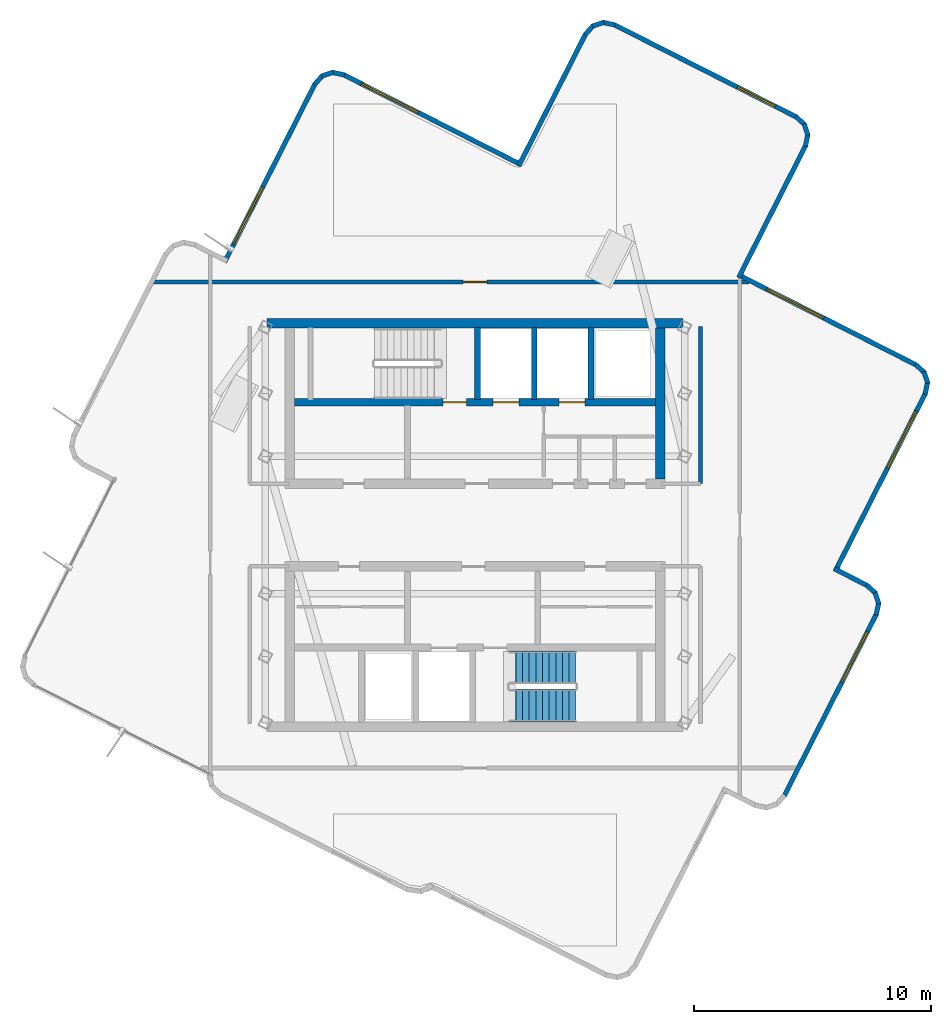
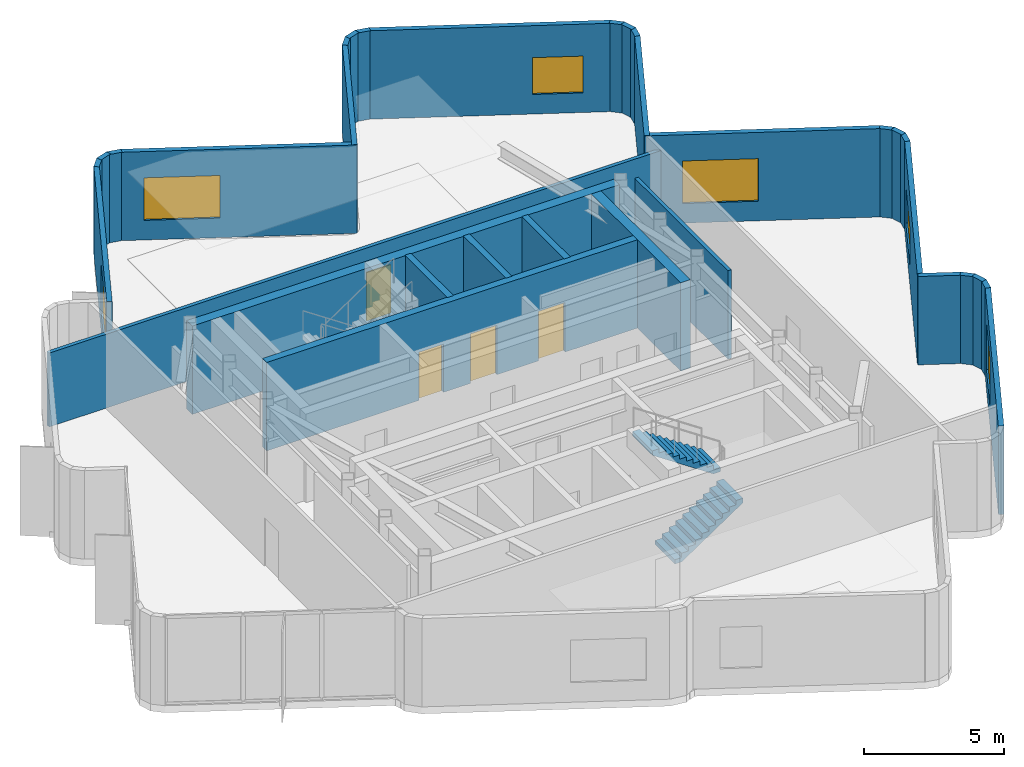
# One storey, part 4 of 8: 32 walls, 6 windows, 4 doors, 2 stair flights, 10 openings, 1 element without a shape of its own.
"""IFC4 building model written with IfcOpenShell, lengths in metres."""

from ifc_helpers import new_model, si_unit, direction, frame, frame_2d, origin, place, context, subcontext, project, spatial, polyline, rectangle, outline, extrude, material, layer, layer_set, type_object, element, fill, aggregate, save


model = new_model("IFC4")

# Units and contexts
model_context = context("Model", 3, precision=1e-05, world=origin(), true_north=direction((0.0, 1.0)))
body_context = subcontext(model_context, "Body", "Model", "MODEL_VIEW")
ifc_project = project(units=[si_unit("LENGTHUNIT", "METRE"), si_unit("AREAUNIT", "SQUARE_METRE"), si_unit("VOLUMEUNIT", "CUBIC_METRE"), si_unit("PLANEANGLEUNIT", "RADIAN"), si_unit("MASSUNIT", "GRAM", prefix="KILO")], contexts=[model_context])

# Site, building, storey
site_placement = place(None, origin())
site = spatial("IfcSite", under=ifc_project, at=site_placement, CompositionType="ELEMENT")
building_placement = place(site_placement, origin())
building = spatial("IfcBuilding", under=site, at=building_placement, Name="Solmarez Civic Tower", CompositionType="ELEMENT")
storey_placement = place(building_placement, frame((0.0, 0.0, 289.260009765625)))
storey = spatial("IfcBuildingStorey", under=building, at=storey_placement, Name="L78 Crown", CompositionType="ELEMENT", Elevation=289.260009765625)

# Walls
ifc_material_1 = material(Name="Concrete C50/60", Category="concrete")
ifc_layer_1 = layer(ifc_material_1, 0.39990234375)
ifc_layer_set_1 = layer_set([ifc_layer_1], Name="Concrete C50/60")
wall_type_1 = type_object("IfcWallType", Name="WALL-CORE-400", PredefinedType="SHEAR", material=ifc_layer_set_1)
wall_1_placement = place(storey_placement, frame((-8.780029296875, 8.510009765625, 0.0), z_axis=(0.0, 0.0, 1.0), x_axis=(1.0, 0.0, 0.0)))
element("IfcWall", 1, at=wall_1_placement, inside=storey, type_object=wall_type_1, Name="L78 Crown Split-Core Structural Wall NCW-N-L78 Crown", PredefinedType="SHEAR", context=body_context, shape_type="SweptSolid", body=[
    extrude(rectangle(XDim=17.56005859375, YDim=0.39990234375, at=frame_2d((8.780029296875, 0.0))), origin(), (0.0, 0.0, 1.0), 3.840087890625),
])
wall_2_placement = place(storey_placement, frame((7.820068359375, 8.31005859375, 0.0), z_axis=(0.0, 0.0, 1.0), x_axis=(0.0, -1.0, 0.0)))
element("IfcWall", 2, at=wall_2_placement, inside=storey, type_object=wall_type_1, Name="L78 Crown Split-Core Structural Wall NCW-E-L78 Crown", PredefinedType="SHEAR", context=body_context, shape_type="SweptSolid", body=[
    extrude(rectangle(XDim=6.360107421875, YDim=0.39990234375, at=frame_2d((3.18017578125, 0.0))), origin(), (0.0, 0.0, 1.0), 3.840087890625),
])

# Wall, opening, window
ifc_material_2 = material(Name="Precast concrete C40/50", Category="concrete")
ifc_layer_2 = layer(ifc_material_2, 0.199951171875)
ifc_layer_set_2 = layer_set([ifc_layer_2], Name="Precast concrete C40/50")
wall_type_2 = type_object("IfcWallType", Name="WALL-EXT-200", PredefinedType="SOLIDWALL", material=ifc_layer_set_2)
wall_3_placement = place(storey_placement, frame((-10.569091796875, 11.10888671875, 0.0), z_axis=(0.0, 0.0, 1.0), x_axis=(0.452141134176, 0.891946408024, 0.0)))
wall_3 = element("IfcWall", 3, at=wall_3_placement, inside=storey, type_object=wall_type_2, Name="L78 Crown Exterior Precast Wall 21", PredefinedType="SOLIDWALL", context=body_context, shape_type="SweptSolid", body=[
    extrude(rectangle(XDim=8.430908203125, YDim=0.199951171875, at=frame_2d((4.21533203125, 0.0))), origin(), (0.0, 0.0, 1.0), 3.840087890625),
])
opening_1_placement = place(wall_3_placement, frame((0.85009765625, 0.0, 0.85009765625)))
opening_1 = element("IfcOpeningElement", 4, at=opening_1_placement, cuts=wall_3, Name="Opening W-01", PredefinedType="OPENING", context=body_context, shape_type="SweptSolid", body=[
    extrude(rectangle(XDim=2.699951171875, YDim=2.10009765625, at=frame_2d((1.35009765625, 1.050048828125))), frame((0.0, 0.10986328125, 0.0), z_axis=(0.0, -1.0, 0.0), x_axis=(1.0, 0.0, 0.0)), (0.0, 0.0, 1.0), 0.219970703125),
])
ifc_material_3 = material(Name="Solar Control Bronze-Tinted Insulating Glass", Category="glass")
window_type_1 = type_object("IfcWindowType", Name="WIN-2700X2100", PartitioningType="SINGLE_PANEL", PredefinedType="WINDOW", material=ifc_material_3)
window_1_placement = place(opening_1_placement, origin())
window_1 = element("IfcWindow", 5, at=window_1_placement, inside=storey, type_object=window_type_1, Name="L78 Crown Exterior Facade Window 21", OverallHeight=2.10009765625, OverallWidth=2.699951171875, PartitioningType="SINGLE_PANEL", PredefinedType="WINDOW", context=body_context, shape_type="SweptSolid", body=[
    extrude(rectangle(XDim=2.699951171875, YDim=2.10009765625, at=frame_2d((1.35009765625, 1.050048828125))), frame((0.0, 0.030029296875, 0.0), z_axis=(0.0, -1.0, 0.0), x_axis=(1.0, 0.0, 0.0)), (0.0, 0.0, 1.0), 0.06005859375),
])
fill(opening_1, window_1)

# Walls
wall_4_placement = place(storey_placement, frame((-6.784912109375, 18.587890625, 0.0), z_axis=(0.0, 0.0, 1.0), x_axis=(0.665997400104, 0.745954062295, 0.0)))
element("IfcWall", 6, at=wall_4_placement, inside=storey, type_object=wall_type_2, Name="L78 Crown Exterior Precast Wall 22", PredefinedType="SOLIDWALL", context=body_context, shape_type="SweptSolid", body=[
    extrude(rectangle(XDim=0.5283203125, YDim=0.199951171875, at=frame_2d((0.26416015625, 0.0))), origin(), (0.0, 0.0, 1.0), 3.840087890625),
])
wall_5_placement = place(storey_placement, frame((-6.47412109375, 18.955078125, 0.0), z_axis=(0.0, 0.0, 1.0), x_axis=(0.950471064968, 0.310813054196, 0.0)))
element("IfcWall", 7, at=wall_5_placement, inside=storey, type_object=wall_type_2, Name="L78 Crown Exterior Precast Wall 23", PredefinedType="SOLIDWALL", context=body_context, shape_type="SweptSolid", body=[
    extrude(rectangle(XDim=0.514404296875, YDim=0.199951171875, at=frame_2d((0.25732421875, 0.0))), origin(), (0.0, 0.0, 1.0), 3.840087890625),
])
wall_6_placement = place(storey_placement, frame((-6.032958984375, 19.112060546875, 0.0), z_axis=(0.0, 0.0, 1.0), x_axis=(0.978721450967, -0.205193375664, 0.0)))
element("IfcWall", 8, at=wall_6_placement, inside=storey, type_object=wall_type_2, Name="L78 Crown Exterior Precast Wall 24", PredefinedType="SOLIDWALL", context=body_context, shape_type="SweptSolid", body=[
    extrude(rectangle(XDim=0.527099609375, YDim=0.199951171875, at=frame_2d((0.263671875, 0.0))), origin(), (0.0, 0.0, 1.0), 3.840087890625),
])

# Wall, opening, window
wall_7_placement = place(storey_placement, frame((-5.56298828125, 19.02001953125, 0.0), z_axis=(0.0, 0.0, 1.0), x_axis=(0.891946408024, -0.452141134176, 0.0)))
wall_7 = element("IfcWall", 9, at=wall_7_placement, inside=storey, type_object=wall_type_2, Name="L78 Crown Exterior Precast Wall 25", PredefinedType="SOLIDWALL", context=body_context, shape_type="SweptSolid", body=[
    extrude(rectangle(XDim=8.430908203125, YDim=0.199951171875, at=frame_2d((4.21533203125, 0.0))), origin(), (0.0, 0.0, 1.0), 3.840087890625),
])
opening_2_placement = place(wall_7_placement, frame((0.85009765625, 0.0, 0.85009765625)))
opening_2 = element("IfcOpeningElement", 10, at=opening_2_placement, cuts=wall_7, Name="Opening W-05", PredefinedType="OPENING", context=body_context, shape_type="SweptSolid", body=[
    extrude(rectangle(XDim=2.699951171875, YDim=1.85009765625, at=frame_2d((1.35009765625, 0.925048828125))), frame((0.0, 0.10986328125, 0.0), z_axis=(0.0, -1.0, 0.0), x_axis=(1.0, 0.0, 0.0)), (0.0, 0.0, 1.0), 0.219970703125),
])
window_type_2 = type_object("IfcWindowType", Name="WIN-2700X1850", PartitioningType="SINGLE_PANEL", PredefinedType="WINDOW", material=ifc_material_3)
window_2_placement = place(opening_2_placement, origin())
window_2 = element("IfcWindow", 11, at=window_2_placement, inside=storey, type_object=window_type_2, Name="L78 Crown Exterior Facade Window 25", OverallHeight=1.85009765625, OverallWidth=2.699951171875, PartitioningType="SINGLE_PANEL", PredefinedType="WINDOW", context=body_context, shape_type="SweptSolid", body=[
    extrude(rectangle(XDim=2.699951171875, YDim=1.85009765625, at=frame_2d((1.35009765625, 0.925048828125))), frame((0.0, 0.030029296875, 0.0), z_axis=(0.0, -1.0, 0.0), x_axis=(1.0, 0.0, 0.0)), (0.0, 0.0, 1.0), 0.06005859375),
])
fill(opening_2, window_2)

# Walls
wall_8_placement = place(storey_placement, frame((1.85009765625, 15.173095703125, 0.0), z_axis=(0.0, 0.0, 1.0), x_axis=(0.452151126281, 0.891941342804, 0.0)))
element("IfcWall", 12, at=wall_8_placement, inside=storey, type_object=wall_type_2, Name="L78 Crown Exterior Precast Wall 28", PredefinedType="SOLIDWALL", context=body_context, shape_type="SweptSolid", body=[
    extrude(rectangle(XDim=6.2412109375, YDim=0.199951171875, at=frame_2d((3.12060546875, 0.0))), origin(), (0.0, 0.0, 1.0), 3.840087890625),
])
wall_9_placement = place(storey_placement, frame((4.64404296875, 20.698974609375, 0.0), z_axis=(0.0, 0.0, 1.0), x_axis=(0.667280322488, 0.744806667009, 0.0)))
element("IfcWall", 13, at=wall_9_placement, inside=storey, type_object=wall_type_2, Name="L78 Crown Exterior Precast Wall 29", PredefinedType="SOLIDWALL", context=body_context, shape_type="SweptSolid", body=[
    extrude(rectangle(XDim=0.529052734375, YDim=0.199951171875, at=frame_2d((0.2646484375, 0.0))), origin(), (0.0, 0.0, 1.0), 3.840087890625),
])
wall_10_placement = place(storey_placement, frame((4.9560546875, 21.06591796875, 0.0), z_axis=(0.0, 0.0, 1.0), x_axis=(0.950330805768, 0.311241641829, 0.0)))
element("IfcWall", 14, at=wall_10_placement, inside=storey, type_object=wall_type_2, Name="L78 Crown Exterior Precast Wall 30", PredefinedType="SOLIDWALL", context=body_context, shape_type="SweptSolid", body=[
    extrude(rectangle(XDim=0.5146484375, YDim=0.199951171875, at=frame_2d((0.25732421875, 0.0))), origin(), (0.0, 0.0, 1.0), 3.840087890625),
])
wall_11_placement = place(storey_placement, frame((5.39697265625, 21.222900390625, 0.0), z_axis=(0.0, 0.0, 1.0), x_axis=(0.978756001638, -0.2050285084, 0.0)))
element("IfcWall", 15, at=wall_11_placement, inside=storey, type_object=wall_type_2, Name="L78 Crown Exterior Precast Wall 31", PredefinedType="SOLIDWALL", context=body_context, shape_type="SweptSolid", body=[
    extrude(rectangle(XDim=0.5263671875, YDim=0.199951171875, at=frame_2d((0.26318359375, 0.0))), origin(), (0.0, 0.0, 1.0), 3.840087890625),
])

# Wall, opening, window
wall_12_placement = place(storey_placement, frame((5.865966796875, 21.131103515625, 0.0), z_axis=(0.0, 0.0, 1.0), x_axis=(0.89192763746, -0.452178161276, 0.0)))
wall_12 = element("IfcWall", 16, at=wall_12_placement, inside=storey, type_object=wall_type_2, Name="L78 Crown Exterior Precast Wall 32", PredefinedType="SOLIDWALL", context=body_context, shape_type="SweptSolid", body=[
    extrude(rectangle(XDim=8.64306640625, YDim=0.199951171875, at=frame_2d((4.321533203125, 0.0))), origin(), (0.0, 0.0, 1.0), 3.840087890625),
])
opening_3_placement = place(wall_12_placement, frame((5.842041015625, 0.0, 0.85009765625)))
opening_3 = element("IfcOpeningElement", 17, at=opening_3_placement, cuts=wall_12, Name="Opening W-12", PredefinedType="OPENING", context=body_context, shape_type="SweptSolid", body=[
    extrude(rectangle(XDim=1.800048828125, YDim=1.60009765625, at=frame_2d((0.89990234375, 0.800048828125))), frame((0.0, 0.10986328125, 0.0), z_axis=(0.0, -1.0, 0.0), x_axis=(1.0, 0.0, 0.0)), (0.0, 0.0, 1.0), 0.219970703125),
])
window_type_3 = type_object("IfcWindowType", Name="WIN-1800X1600", PartitioningType="SINGLE_PANEL", PredefinedType="WINDOW", material=ifc_material_3)
window_3_placement = place(opening_3_placement, origin())
window_3 = element("IfcWindow", 18, at=window_3_placement, inside=storey, type_object=window_type_3, Name="L78 Crown Exterior Facade Window 32", OverallHeight=1.60009765625, OverallWidth=1.800048828125, PartitioningType="SINGLE_PANEL", PredefinedType="WINDOW", context=body_context, shape_type="SweptSolid", body=[
    extrude(rectangle(XDim=1.800048828125, YDim=1.60009765625, at=frame_2d((0.89990234375, 0.800048828125))), frame((0.0, 0.030029296875, 0.0), z_axis=(0.0, -1.0, 0.0), x_axis=(1.0, 0.0, 0.0)), (0.0, 0.0, 1.0), 0.06005859375),
])
fill(opening_3, window_3)

# Walls
wall_13_placement = place(storey_placement, frame((13.533935546875, 17.2509765625, 0.0), z_axis=(0.0, 0.0, 1.0), x_axis=(0.744806667009, -0.667280322488, 0.0)))
element("IfcWall", 19, at=wall_13_placement, inside=storey, type_object=wall_type_2, Name="L78 Crown Exterior Precast Wall 33", PredefinedType="SOLIDWALL", context=body_context, shape_type="SweptSolid", body=[
    extrude(rectangle(XDim=0.529052734375, YDim=0.199951171875, at=frame_2d((0.2646484375, 0.0))), origin(), (0.0, 0.0, 1.0), 3.840087890625),
])
wall_14_placement = place(storey_placement, frame((13.90087890625, 16.93896484375, 0.0), z_axis=(0.0, 0.0, 1.0), x_axis=(0.311241641829, -0.950330805768, 0.0)))
element("IfcWall", 20, at=wall_14_placement, inside=storey, type_object=wall_type_2, Name="L78 Crown Exterior Precast Wall 34", PredefinedType="SOLIDWALL", context=body_context, shape_type="SweptSolid", body=[
    extrude(rectangle(XDim=0.5146484375, YDim=0.199951171875, at=frame_2d((0.25732421875, 0.0))), origin(), (0.0, 0.0, 1.0), 3.840087890625),
])
wall_15_placement = place(storey_placement, frame((14.05810546875, 16.498046875, 0.0), z_axis=(0.0, 0.0, 1.0), x_axis=(-0.205472811008, -0.978662824438, 0.0)))
element("IfcWall", 21, at=wall_15_placement, inside=storey, type_object=wall_type_2, Name="L78 Crown Exterior Precast Wall 35", PredefinedType="SOLIDWALL", context=body_context, shape_type="SweptSolid", body=[
    extrude(rectangle(XDim=0.5263671875, YDim=0.199951171875, at=frame_2d((0.26318359375, 0.0))), origin(), (0.0, 0.0, 1.0), 3.840087890625),
])
wall_16_placement = place(storey_placement, frame((13.966064453125, 16.029052734375, 0.0), z_axis=(0.0, 0.0, 1.0), x_axis=(-0.452135351256, -0.891949339449, 0.0)))
element("IfcWall", 22, at=wall_16_placement, inside=storey, type_object=wall_type_2, Name="L78 Crown Exterior Precast Wall 36", PredefinedType="SOLIDWALL", context=body_context, shape_type="SweptSolid", body=[
    extrude(rectangle(XDim=6.241455078125, YDim=0.199951171875, at=frame_2d((3.12060546875, 0.0))), origin(), (0.0, 0.0, 1.0), 3.840087890625),
])

# Wall, opening, window
wall_17_placement = place(storey_placement, frame((11.10888671875, 10.569091796875, 0.0), z_axis=(0.0, 0.0, 1.0), x_axis=(0.891946408024, -0.452141134176, 0.0)))
wall_17 = element("IfcWall", 23, at=wall_17_placement, inside=storey, type_object=wall_type_2, Name="L78 Crown Exterior Precast Wall 39", PredefinedType="SOLIDWALL", context=body_context, shape_type="SweptSolid", body=[
    extrude(rectangle(XDim=8.430908203125, YDim=0.199951171875, at=frame_2d((4.21533203125, 0.0))), origin(), (0.0, 0.0, 1.0), 3.840087890625),
])
opening_4_placement = place(wall_17_placement, frame((1.35009765625, 0.0, 0.85009765625)))
opening_4 = element("IfcOpeningElement", 24, at=opening_4_placement, cuts=wall_17, Name="Opening W-05", PredefinedType="OPENING", context=body_context, shape_type="SweptSolid", body=[
    extrude(rectangle(XDim=2.699951171875, YDim=1.85009765625, at=frame_2d((1.35009765625, 0.925048828125))), frame((0.0, 0.10986328125, 0.0), z_axis=(0.0, -1.0, 0.0), x_axis=(1.0, 0.0, 0.0)), (0.0, 0.0, 1.0), 0.219970703125),
])
window_4_placement = place(opening_4_placement, origin())
window_4 = element("IfcWindow", 25, at=window_4_placement, inside=storey, type_object=window_type_2, Name="L78 Crown Exterior Facade Window 39", OverallHeight=1.85009765625, OverallWidth=2.699951171875, PartitioningType="SINGLE_PANEL", PredefinedType="WINDOW", context=body_context, shape_type="SweptSolid", body=[
    extrude(rectangle(XDim=2.699951171875, YDim=1.85009765625, at=frame_2d((1.35009765625, 0.925048828125))), frame((0.0, 0.030029296875, 0.0), z_axis=(0.0, -1.0, 0.0), x_axis=(1.0, 0.0, 0.0)), (0.0, 0.0, 1.0), 0.06005859375),
])
fill(opening_4, window_4)

# Walls
wall_18_placement = place(storey_placement, frame((18.587890625, 6.784912109375, 0.0), z_axis=(0.0, 0.0, 1.0), x_axis=(0.745954062295, -0.665997400104, 0.0)))
element("IfcWall", 26, at=wall_18_placement, inside=storey, type_object=wall_type_2, Name="L78 Crown Exterior Precast Wall 40", PredefinedType="SOLIDWALL", context=body_context, shape_type="SweptSolid", body=[
    extrude(rectangle(XDim=0.5283203125, YDim=0.199951171875, at=frame_2d((0.26416015625, 0.0))), origin(), (0.0, 0.0, 1.0), 3.840087890625),
])
wall_19_placement = place(storey_placement, frame((18.955078125, 6.47412109375, 0.0), z_axis=(0.0, 0.0, 1.0), x_axis=(0.310813054196, -0.950471064968, 0.0)))
element("IfcWall", 27, at=wall_19_placement, inside=storey, type_object=wall_type_2, Name="L78 Crown Exterior Precast Wall 41", PredefinedType="SOLIDWALL", context=body_context, shape_type="SweptSolid", body=[
    extrude(rectangle(XDim=0.514404296875, YDim=0.199951171875, at=frame_2d((0.25732421875, 0.0))), origin(), (0.0, 0.0, 1.0), 3.840087890625),
])
wall_20_placement = place(storey_placement, frame((19.112060546875, 6.032958984375, 0.0), z_axis=(0.0, 0.0, 1.0), x_axis=(-0.205193375664, -0.978721450967, 0.0)))
element("IfcWall", 28, at=wall_20_placement, inside=storey, type_object=wall_type_2, Name="L78 Crown Exterior Precast Wall 42", PredefinedType="SOLIDWALL", context=body_context, shape_type="SweptSolid", body=[
    extrude(rectangle(XDim=0.527099609375, YDim=0.199951171875, at=frame_2d((0.263671875, 0.0))), origin(), (0.0, 0.0, 1.0), 3.840087890625),
])

# Wall, opening, window
wall_21_placement = place(storey_placement, frame((19.02001953125, 5.56298828125, 0.0), z_axis=(0.0, 0.0, 1.0), x_axis=(-0.452141134176, -0.891946408024, 0.0)))
wall_21 = element("IfcWall", 29, at=wall_21_placement, inside=storey, type_object=wall_type_2, Name="L78 Crown Exterior Precast Wall 43", PredefinedType="SOLIDWALL", context=body_context, shape_type="SweptSolid", body=[
    extrude(rectangle(XDim=8.430908203125, YDim=0.199951171875, at=frame_2d((4.21533203125, 0.0))), origin(), (0.0, 0.0, 1.0), 3.840087890625),
])
opening_5_placement = place(wall_21_placement, frame((0.85009765625, 0.0, 0.85009765625)))
opening_5 = element("IfcOpeningElement", 30, at=opening_5_placement, cuts=wall_21, Name="Opening W-09", PredefinedType="OPENING", context=body_context, shape_type="SweptSolid", body=[
    extrude(rectangle(XDim=2.699951171875, YDim=1.64990234375, at=frame_2d((1.35009765625, 0.824951171875))), frame((0.0, 0.10986328125, 0.0), z_axis=(0.0, -1.0, 0.0), x_axis=(1.0, 0.0, 0.0)), (0.0, 0.0, 1.0), 0.219970703125),
])
window_type_4 = type_object("IfcWindowType", Name="WIN-2700X1650", PartitioningType="SINGLE_PANEL", PredefinedType="WINDOW", material=ifc_material_3)
window_5_placement = place(opening_5_placement, origin())
window_5 = element("IfcWindow", 31, at=window_5_placement, inside=storey, type_object=window_type_4, Name="L78 Crown Exterior Facade Window 43", OverallHeight=1.64990234375, OverallWidth=2.699951171875, PartitioningType="SINGLE_PANEL", PredefinedType="WINDOW", context=body_context, shape_type="SweptSolid", body=[
    extrude(rectangle(XDim=2.699951171875, YDim=1.64990234375, at=frame_2d((1.35009765625, 0.824951171875))), frame((0.0, 0.030029296875, 0.0), z_axis=(0.0, -1.0, 0.0), x_axis=(1.0, 0.0, 0.0)), (0.0, 0.0, 1.0), 0.06005859375),
])
fill(opening_5, window_5)

# Walls
wall_22_placement = place(storey_placement, frame((15.173095703125, -1.85009765625, 0.0), z_axis=(0.0, 0.0, 1.0), x_axis=(0.892006356627, -0.452022853113, 0.0)))
element("IfcWall", 32, at=wall_22_placement, inside=storey, type_object=wall_type_2, Name="L78 Crown Exterior Precast Wall 46", PredefinedType="SOLIDWALL", context=body_context, shape_type="SweptSolid", body=[
    extrude(rectangle(XDim=1.5615234375, YDim=0.199951171875, at=frame_2d((0.78076171875, 0.0))), origin(), (0.0, 0.0, 1.0), 3.840087890625),
])
wall_23_placement = place(storey_placement, frame((16.52490234375, -2.528076171875, 0.0), z_axis=(0.0, 0.0, 1.0), x_axis=(0.743983074, -0.668198462735, 0.0)))
element("IfcWall", 33, at=wall_23_placement, inside=storey, type_object=wall_type_2, Name="L78 Crown Exterior Precast Wall 47", PredefinedType="SOLIDWALL", context=body_context, shape_type="SweptSolid", body=[
    extrude(rectangle(XDim=0.5283203125, YDim=0.199951171875, at=frame_2d((0.26416015625, 0.0))), origin(), (0.0, 0.0, 1.0), 3.840087890625),
])
wall_24_placement = place(storey_placement, frame((16.89111328125, -2.840087890625, 0.0), z_axis=(0.0, 0.0, 1.0), x_axis=(0.312526265177, -0.949909118587, 0.0)))
element("IfcWall", 34, at=wall_24_placement, inside=storey, type_object=wall_type_2, Name="L78 Crown Exterior Precast Wall 48", PredefinedType="SOLIDWALL", context=body_context, shape_type="SweptSolid", body=[
    extrude(rectangle(XDim=0.514892578125, YDim=0.199951171875, at=frame_2d((0.25732421875, 0.0))), origin(), (0.0, 0.0, 1.0), 3.840087890625),
])
wall_25_placement = place(storey_placement, frame((17.049072265625, -3.281005859375, 0.0), z_axis=(0.0, 0.0, 1.0), x_axis=(-0.207342794077, -0.978268350579, 0.0)))
element("IfcWall", 35, at=wall_25_placement, inside=storey, type_object=wall_type_2, Name="L78 Crown Exterior Precast Wall 49", PredefinedType="SOLIDWALL", context=body_context, shape_type="SweptSolid", body=[
    extrude(rectangle(XDim=0.5263671875, YDim=0.199951171875, at=frame_2d((0.26318359375, 0.0))), origin(), (0.0, 0.0, 1.0), 3.840087890625),
])

# Wall, opening, window
wall_26_placement = place(storey_placement, frame((16.9560546875, -3.75, 0.0), z_axis=(0.0, 0.0, 1.0), x_axis=(-0.452065793094, -0.891984595559, 0.0)))
wall_26 = element("IfcWall", 36, at=wall_26_placement, inside=storey, type_object=wall_type_2, Name="L78 Crown Exterior Precast Wall 50", PredefinedType="SOLIDWALL", context=body_context, shape_type="SweptSolid", body=[
    extrude(rectangle(XDim=8.642578125, YDim=0.199951171875, at=frame_2d((4.3212890625, 0.0))), origin(), (0.0, 0.0, 1.0), 3.840087890625),
])
opening_6_placement = place(wall_26_placement, frame((0.85009765625, 0.0, 0.85009765625)))
opening_6 = element("IfcOpeningElement", 37, at=opening_6_placement, cuts=wall_26, Name="Opening W-02", PredefinedType="OPENING", context=body_context, shape_type="SweptSolid", body=[
    extrude(rectangle(XDim=2.39990234375, YDim=2.10009765625, at=frame_2d((1.199951171875, 1.050048828125))), frame((0.0, 0.10986328125, 0.0), z_axis=(0.0, -1.0, 0.0), x_axis=(1.0, 0.0, 0.0)), (0.0, 0.0, 1.0), 0.219970703125),
])
window_type_5 = type_object("IfcWindowType", Name="WIN-2400X2100", PartitioningType="SINGLE_PANEL", PredefinedType="WINDOW", material=ifc_material_3)
window_6_placement = place(opening_6_placement, origin())
window_6 = element("IfcWindow", 38, at=window_6_placement, inside=storey, type_object=window_type_5, Name="L78 Crown Exterior Facade Window 50", OverallHeight=2.10009765625, OverallWidth=2.39990234375, PartitioningType="SINGLE_PANEL", PredefinedType="WINDOW", context=body_context, shape_type="SweptSolid", body=[
    extrude(rectangle(XDim=2.39990234375, YDim=2.10009765625, at=frame_2d((1.199951171875, 1.050048828125))), frame((0.0, 0.030029296875, 0.0), z_axis=(0.0, -1.0, 0.0), x_axis=(1.0, 0.0, 0.0)), (0.0, 0.0, 1.0), 0.06005859375),
])
fill(opening_6, window_6)

# Wall
ifc_material_4 = material(Name="Gypsum Board Acoustic Steel-Stud Partition", Category="steel")
ifc_layer_3 = layer(ifc_material_4, 0.14990234375)
ifc_layer_set_3 = layer_set([ifc_layer_3], Name="Gypsum Board Acoustic Steel-Stud Partition")
wall_type_3 = type_object("IfcWallType", Name="WALL-INT-FIRE-150", PredefinedType="PARTITIONING", material=ifc_layer_set_3)
wall_27_placement = place(storey_placement, frame((9.52001953125, 1.75, 0.0), z_axis=(0.0, 0.0, 1.0), x_axis=(0.0, 1.0, 0.0)))
element("IfcWall", 39, at=wall_27_placement, inside=storey, type_object=wall_type_3, Name="L78 Crown Interior Partition CHW-L78 Crown-EN1", PredefinedType="PARTITIONING", context=body_context, shape_type="SweptSolid", body=[
    extrude(rectangle(XDim=6.6298828125, YDim=0.14990234375, at=frame_2d((3.31494140625, 0.0))), origin(), (0.0, 0.0, 1.0), 3.840087890625),
])

# Wall, opening, door
wall_28_placement = place(storey_placement, frame((-13.583984375, 10.260009765625, 0.0), z_axis=(0.0, 0.0, 1.0), x_axis=(1.0, 0.0, 0.0)))
wall_28 = element("IfcWall", 40, at=wall_28_placement, inside=storey, type_object=wall_type_3, Name="L78 Crown Interior Partition PT-L78 Crown-N", PredefinedType="PARTITIONING", context=body_context, shape_type="SweptSolid", body=[
    extrude(rectangle(XDim=25.158935546875, YDim=0.14990234375, at=frame_2d((12.57958984375, 0.0))), origin(), (0.0, 0.0, 1.0), 3.2099609375),
])
opening_7_placement = place(wall_28_placement, frame((13.083984375, 0.0, 0.0)))
opening_7 = element("IfcOpeningElement", 41, at=opening_7_placement, cuts=wall_28, Name="Opening D-04", PredefinedType="OPENING", context=body_context, shape_type="SweptSolid", body=[
    extrude(rectangle(XDim=1.0, YDim=2.10009765625, at=frame_2d((0.5, 1.050048828125))), frame((0.0, 0.0849609375, 0.0), z_axis=(0.0, -1.0, 0.0), x_axis=(1.0, 0.0, 0.0)), (0.0, 0.0, 1.0), 0.169921875),
])
ifc_material_5 = material(Name="Steel-Faced Acoustic Fire Door", Category="steel")
door_type_1 = type_object("IfcDoorType", Name="DOOR-FD60-1000", OperationType="NOTDEFINED", PredefinedType="DOOR", material=ifc_material_5)
door_1_placement = place(opening_7_placement, origin())
door_1 = element("IfcDoor", 42, at=door_1_placement, inside=storey, type_object=door_type_1, Name="L78 Crown Civic Reception Lounge Door", OperationType="SINGLE_SWING_RIGHT", OverallHeight=2.10009765625, OverallWidth=1.0, PredefinedType="DOOR", context=body_context, shape_type="SweptSolid", body=[
    extrude(rectangle(XDim=1.0, YDim=2.10009765625, at=frame_2d((0.5, 1.050048828125))), frame((0.0, 0.02490234375, 0.0), z_axis=(0.0, -1.0, 0.0), x_axis=(1.0, 0.0, 0.0)), (0.0, 0.0, 1.0), 0.050048828125),
])
fill(opening_7, door_1)

# Wall, openings, doors
ifc_layer_4 = layer(ifc_material_1, 0.300048828125)
ifc_layer_set_4 = layer_set([ifc_layer_4], Name="Concrete C50/60")
wall_type_4 = type_object("IfcWallType", Name="WALL-STR-300", PredefinedType="SOLIDWALL", material=ifc_layer_set_4)
wall_29_placement = place(storey_placement, frame((7.6201171875, 5.179931640625, 0.0), z_axis=(0.0, 0.0, 1.0), x_axis=(-1.0, 0.0, 0.0)))
wall_29 = element("IfcWall", 43, at=wall_29_placement, inside=storey, type_object=wall_type_4, Name="L78 Crown Split-Core Structural Wall NCW-M-L78 Crown", PredefinedType="SOLIDWALL", context=body_context, shape_type="SweptSolid", body=[
    extrude(rectangle(XDim=15.240234375, YDim=0.300048828125, at=frame_2d((7.6201171875, 0.0))), origin(), (0.0, 0.0, 1.0), 3.840087890625),
])
opening_8_placement = place(wall_29_placement, frame((5.77001953125, 0.0, 0.0)))
opening_8 = element("IfcOpeningElement", 44, at=opening_8_placement, cuts=wall_29, Name="Opening LD-02", PredefinedType="OPENING", context=body_context, shape_type="SweptSolid", body=[
    extrude(rectangle(XDim=1.10009765625, YDim=2.14990234375, at=frame_2d((0.550048828125, 1.074951171875))), frame((0.0, 0.159912109375, 0.0), z_axis=(0.0, -1.0, 0.0), x_axis=(1.0, 0.0, 0.0)), (0.0, 0.0, 1.0), 0.320068359375),
])
opening_9_placement = place(wall_29_placement, frame((2.969970703125, 0.0, 0.0)))
opening_9 = element("IfcOpeningElement", 45, at=opening_9_placement, cuts=wall_29, Name="Opening LD-03", PredefinedType="OPENING", context=body_context, shape_type="SweptSolid", body=[
    extrude(rectangle(XDim=1.10009765625, YDim=2.14990234375, at=frame_2d((0.550048828125, 1.074951171875))), frame((0.0, 0.159912109375, 0.0), z_axis=(0.0, -1.0, 0.0), x_axis=(1.0, 0.0, 0.0)), (0.0, 0.0, 1.0), 0.320068359375),
])
opening_10_placement = place(wall_29_placement, frame((7.969970703125, 0.0, 0.0)))
opening_10 = element("IfcOpeningElement", 46, at=opening_10_placement, cuts=wall_29, Name="Opening D-05", PredefinedType="OPENING", context=body_context, shape_type="SweptSolid", body=[
    extrude(rectangle(XDim=1.0, YDim=2.10009765625, at=frame_2d((0.5, 1.050048828125))), frame((0.0, 0.159912109375, 0.0), z_axis=(0.0, -1.0, 0.0), x_axis=(1.0, 0.0, 0.0)), (0.0, 0.0, 1.0), 0.320068359375),
])
ifc_material_6 = material(Name="Fire-Rated Stairwell Exit Door", Category="wood")
door_type_2 = type_object("IfcDoorType", Name="DOOR-FD90-1000", OperationType="NOTDEFINED", PredefinedType="DOOR", material=ifc_material_6)
door_2_placement = place(opening_10_placement, origin())
door_2 = element("IfcDoor", 47, at=door_2_placement, inside=storey, type_object=door_type_2, Name="L78 Crown North Exit Stair Door ST-1", OperationType="SINGLE_SWING_LEFT", OverallHeight=2.10009765625, OverallWidth=1.0, PredefinedType="DOOR", context=body_context, shape_type="SweptSolid", body=[
    extrude(rectangle(XDim=1.0, YDim=2.10009765625, at=frame_2d((0.5, 1.050048828125))), frame((0.0, 0.02490234375, 0.0), z_axis=(0.0, -1.0, 0.0), x_axis=(1.0, 0.0, 0.0)), (0.0, 0.0, 1.0), 0.050048828125),
])
fill(opening_10, door_2)
ifc_material_7 = material(Name="Stainless Firefighting Lift Landing Sliding Door", Category="aluminium")
door_type_3 = type_object("IfcDoorType", Name="DOOR-LD-FF-1100", OperationType="DOUBLE_DOOR_SLIDING", PredefinedType="DOOR", material=ifc_material_7)
door_3_placement = place(opening_8_placement, origin())
door_3 = element("IfcDoor", 48, at=door_3_placement, inside=storey, type_object=door_type_3, Name="L78 Crown Firefighting Lift Landing Door FFL-1", OperationType="DOUBLE_DOOR_SLIDING", OverallHeight=2.14990234375, OverallWidth=1.10009765625, PredefinedType="DOOR", context=body_context, shape_type="SweptSolid", body=[
    extrude(rectangle(XDim=1.10009765625, YDim=2.14990234375, at=frame_2d((0.550048828125, 1.074951171875))), frame((0.0, 0.02490234375, 0.0), z_axis=(0.0, -1.0, 0.0), x_axis=(1.0, 0.0, 0.0)), (0.0, 0.0, 1.0), 0.050048828125),
])
fill(opening_8, door_3)
ifc_material_8 = material(Name="Stainless Stretcher Lift Landing Sliding Door", Category="aluminium")
door_type_4 = type_object("IfcDoorType", Name="DOOR-LD-SV-1100", OperationType="DOUBLE_DOOR_SLIDING", PredefinedType="DOOR", material=ifc_material_8)
door_4_placement = place(opening_9_placement, origin())
door_4 = element("IfcDoor", 49, at=door_4_placement, inside=storey, type_object=door_type_4, Name="L78 Crown Service Stretcher Lift Landing Door SVL-1", OperationType="DOUBLE_DOOR_SLIDING", OverallHeight=2.14990234375, OverallWidth=1.10009765625, PredefinedType="DOOR", context=body_context, shape_type="SweptSolid", body=[
    extrude(rectangle(XDim=1.10009765625, YDim=2.14990234375, at=frame_2d((0.550048828125, 1.074951171875))), frame((0.0, 0.02490234375, 0.0), z_axis=(0.0, -1.0, 0.0), x_axis=(1.0, 0.0, 0.0)), (0.0, 0.0, 1.0), 0.050048828125),
])
fill(opening_9, door_4)

# Walls
for number, where, z_axis, x_axis, name in (
    (50, (0.10009765625, 5.300048828125, 0.0), (0.0, 0.0, 1.0), (0.0, 1.0, 0.0), "L78 Crown Split-Core Structural Wall SHW-N1-L78 Crown"),
    (51, (2.5, 5.300048828125, 0.0), (0.0, 0.0, 1.0), (0.0, 1.0, 0.0), "L78 Crown Split-Core Structural Wall SHW-N2-L78 Crown"),
    (52, (4.89990234375, 5.300048828125, 0.0), (0.0, 0.0, 1.0), (0.0, 1.0, 0.0), "L78 Crown Split-Core Structural Wall SHW-N3-L78 Crown"),
):
    element("IfcWall", number, at=place(storey_placement, frame(where, z_axis=z_axis, x_axis=x_axis)), inside=storey, type_object=wall_type_4, Name=name, PredefinedType="SOLIDWALL", context=body_context, shape_type="SweptSolid", body=[
        extrude(rectangle(XDim=3.0400390625, YDim=0.25, at=frame_2d((1.52001953125, 0.0))), origin(), (0.0, 0.0, 1.0), 3.840087890625),
    ])

# Stair, stair flights
stair_type = type_object("IfcStairType", Name="STAIR-DOGLEG-140W-22R-1882", PredefinedType="HALF_TURN_STAIR", material=ifc_material_1)
stair_placement = place(storey_placement, origin())
stair = element("IfcStair", 53, at=stair_placement, inside=storey, type_object=stair_type, Name="L78 Crown South Core Protected Exit Stair ST-2", PredefinedType="HALF_TURN_STAIR")
stair_flight_type = type_object("IfcStairFlightType", Name="FLIGHT-DOGLEG-140W-11R-1882", PredefinedType="STRAIGHT", material=ifc_material_1)
stair_flight_1_placement = place(storey_placement, frame((1.449951171875, -7.6201171875, 0.0), z_axis=(0.0, 0.0, 1.0), x_axis=(1.0, 0.0, 0.0)))
stair_flight_1 = element("IfcStairFlight", 54, at=stair_flight_1_placement, type_object=stair_flight_type, Name="ST-2 flight 1", NumberOfRisers=11, NumberOfTreads=10, PredefinedType="STRAIGHT", RiserHeight=0.188181818, TreadLength=0.28, context=body_context, shape_type="SweptSolid", body=[
    extrude(outline(polyline([(0.0, 0.0), (0.0, 0.188232421875), (0.280029296875, 0.188232421875), (0.280029296875, 0.37646484375), (0.56005859375, 0.37646484375), (0.56005859375, 0.564453125), (0.840087890625, 0.564453125), (0.840087890625, 0.752685546875), (1.1201171875, 0.752685546875), (1.1201171875, 0.94091796875), (1.39990234375, 0.94091796875), (1.39990234375, 1.129150390625), (1.679931640625, 1.129150390625), (1.679931640625, 1.3173828125), (1.9599609375, 1.3173828125), (1.9599609375, 1.50537109375), (2.239990234375, 1.50537109375), (2.239990234375, 1.693603515625), (2.52001953125, 1.693603515625), (2.52001953125, 1.8818359375), (2.800048828125, 1.8818359375), (2.800048828125, 2.070068359375), (2.800048828125, 1.689208984375), (0.28662109375, 0.0), (0.0, 0.0)])), frame((0.0, 0.699951171875, 0.0), z_axis=(0.0, -1.0, 0.0), x_axis=(1.0, 0.0, 0.0)), (0.0, 0.0, 1.0), 1.39990234375),
])
stair_flight_2_placement = place(storey_placement, frame((4.25, -6.02001953125, 2.070068359375), z_axis=(0.0, 0.0, 1.0), x_axis=(-1.0, 0.0, 0.0)))
stair_flight_2 = element("IfcStairFlight", 55, at=stair_flight_2_placement, type_object=stair_flight_type, Name="ST-2 flight 2", NumberOfRisers=11, NumberOfTreads=10, PredefinedType="STRAIGHT", RiserHeight=0.188181818, TreadLength=0.28, context=body_context, shape_type="SweptSolid", body=[
    extrude(outline(polyline([(0.0, 0.0), (0.0, 0.188232421875), (0.280029296875, 0.188232421875), (0.280029296875, 0.37646484375), (0.56005859375, 0.37646484375), (0.56005859375, 0.564453125), (0.840087890625, 0.564453125), (0.840087890625, 0.752685546875), (1.1201171875, 0.752685546875), (1.1201171875, 0.94091796875), (1.39990234375, 0.94091796875), (1.39990234375, 1.129150390625), (1.679931640625, 1.129150390625), (1.679931640625, 1.3173828125), (1.9599609375, 1.3173828125), (1.9599609375, 1.50537109375), (2.239990234375, 1.50537109375), (2.239990234375, 1.693603515625), (2.52001953125, 1.693603515625), (2.52001953125, 1.8818359375), (2.800048828125, 1.8818359375), (2.800048828125, 2.070068359375), (2.800048828125, 1.689208984375), (0.28662109375, 0.0), (0.0, 0.0)])), frame((0.0, 0.699951171875, 0.0), z_axis=(0.0, -1.0, 0.0), x_axis=(1.0, 0.0, 0.0)), (0.0, 0.0, 1.0), 1.39990234375),
])
aggregate(stair, [stair_flight_1, stair_flight_2])

save(model, "model.ifc")
